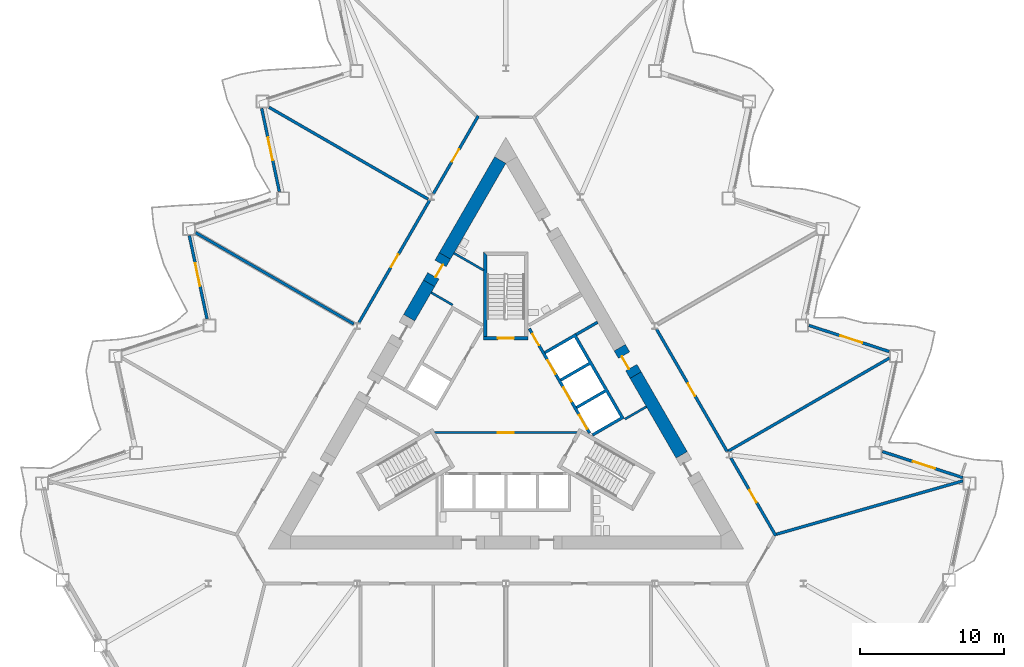
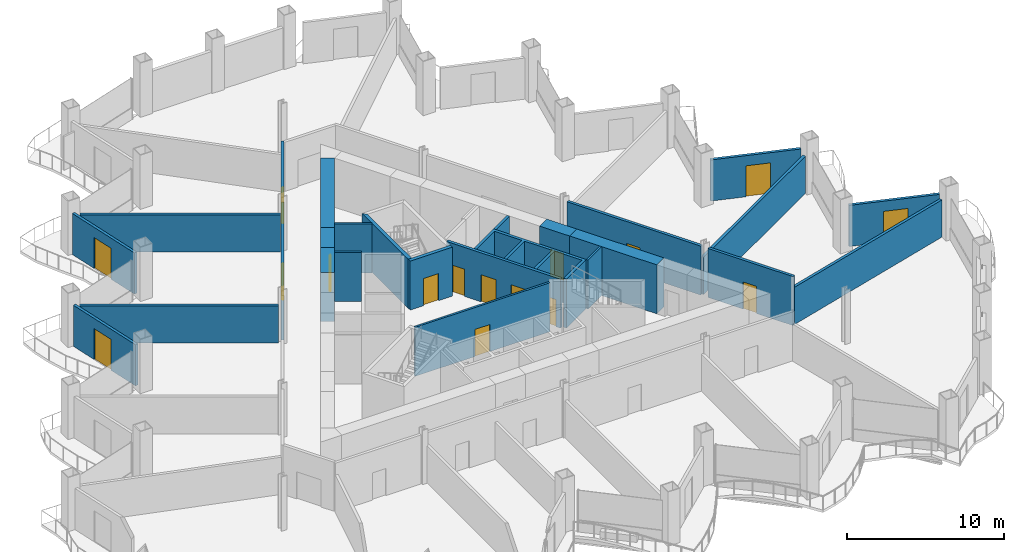
# One storey, part 12 of 21: 26 walls, 16 doors, 16 openings.
"""IFC4 building model written with IfcOpenShell, lengths in metres."""

from ifc_helpers import new_model, si_unit, direction, frame, frame_2d, origin, place, context, subcontext, project, spatial, polyline, rectangle, outline, extrude, material, layer, layer_set, type_object, element, fill, save


model = new_model("IFC4")

# Units and contexts
model_context = context("Model", 3, precision=1e-05, world=origin(), true_north=direction((0.0, 1.0)))
body_context = subcontext(model_context, "Body", "Model", "MODEL_VIEW")
ifc_project = project(units=[si_unit("LENGTHUNIT", "METRE"), si_unit("AREAUNIT", "SQUARE_METRE"), si_unit("VOLUMEUNIT", "CUBIC_METRE"), si_unit("PLANEANGLEUNIT", "RADIAN"), si_unit("MASSUNIT", "GRAM", prefix="KILO")], contexts=[model_context])

# Site, building, storey
site_placement = place(None, origin())
site = spatial("IfcSite", under=ifc_project, at=site_placement, CompositionType="ELEMENT")
building_placement = place(site_placement, origin())
building = spatial("IfcBuilding", under=site, at=building_placement, Name="Cormorant Prow Tower", CompositionType="ELEMENT")
storey_placement = place(building_placement, frame((0.0, 0.0, 133.199951171875)))
storey = spatial("IfcBuildingStorey", under=building, at=storey_placement, Name="L28", CompositionType="ELEMENT", Elevation=133.199951171875)

# Wall, opening, door
ifc_material_1 = material(Name="Gypsum board partition")
ifc_layer_1 = layer(ifc_material_1, 0.14990234375)
ifc_layer_set_1 = layer_set([ifc_layer_1], Name="Gypsum board partition")
wall_type_1 = type_object("IfcWallType", Name="Core partition 150", PredefinedType="PARTITIONING", material=ifc_layer_set_1)
wall_1_placement = place(storey_placement, frame((-4.941162109375, -1.449951171875, 0.0), z_axis=(0.0, 0.0, 1.0), x_axis=(1.0, 0.0, 0.0)))
wall_1 = element("IfcWall", 1, at=wall_1_placement, inside=storey, type_object=wall_type_1, Name="Firefighting lobby partition", PredefinedType="PARTITIONING", context=body_context, shape_type="SweptSolid", body=[
    extrude(rectangle(XDim=9.88232421875, YDim=0.14990234375, at=frame_2d((4.941162109375, 0.0))), origin(), (0.0, 0.0, 1.0), 3.800048828125),
])
opening_1_placement = place(wall_1_placement, frame((4.39111328125, 0.0, 0.0)))
opening_1 = element("IfcOpeningElement", 2, at=opening_1_placement, cuts=wall_1, Name="Opening L28-C10", PredefinedType="OPENING", context=body_context, shape_type="SweptSolid", body=[
    extrude(rectangle(XDim=1.10009765625, YDim=2.10009765625, at=frame_2d((0.550048828125, 1.050048828125))), frame((0.0, 0.0849609375, 0.0), z_axis=(0.0, -1.0, 0.0), x_axis=(1.0, 0.0, 0.0)), (0.0, 0.0, 1.0), 0.169921875),
])
ifc_material_2 = material(Name="Painted steel", Category="steel")
door_type_1 = type_object("IfcDoorType", Name="Firefighting lobby door 1100x2100", OperationType="NOTDEFINED", PredefinedType="DOOR", material=ifc_material_2)
door_1_placement = place(opening_1_placement, origin())
door_1 = element("IfcDoor", 3, at=door_1_placement, inside=storey, type_object=door_type_1, Name="Firefighting lobby door", OperationType="SINGLE_SWING_RIGHT", OverallHeight=2.10009765625, OverallWidth=1.10009765625, PredefinedType="DOOR", context=body_context, shape_type="SweptSolid", body=[
    extrude(rectangle(XDim=1.10009765625, YDim=2.10009765625, at=frame_2d((0.550048828125, 1.050048828125))), frame((0.0, 0.02490234375, 0.0), z_axis=(0.0, -1.0, 0.0), x_axis=(1.0, 0.0, 0.0)), (0.0, 0.0, 1.0), 0.050048828125),
])
fill(opening_1, door_1)

# Walls
for number, where, z_axis, x_axis, name in (
    (4, (8.268310546875, -0.509033203125, 0.0), (0.0, 0.0, 1.0), (0.866024871741, 0.500000921525, 0.0), "Service room partition"),
    (5, (-3.693359375, 7.4150390625, 0.0), (0.0, 0.0, 1.0), (-0.866024871741, 0.500000921525, 0.0), "Service room partition"),
):
    element("IfcWall", number, at=place(storey_placement, frame(where, z_axis=z_axis, x_axis=x_axis)), inside=storey, type_object=wall_type_1, Name=name, PredefinedType="PARTITIONING", context=body_context, shape_type="SweptSolid", body=[
        extrude(rectangle(XDim=1.72021484375, YDim=0.14990234375, at=frame_2d((0.860107421875, 0.0))), origin(), (0.0, 0.0, 1.0), 3.800048828125),
    ])
wall_2_placement = place(storey_placement, frame((-3.601806640625, 11.013916015625, 0.0), z_axis=(0.0, 0.0, 1.0), x_axis=(0.866011787705, -0.500023583, 0.0)))
element("IfcWall", 6, at=wall_2_placement, inside=storey, type_object=wall_type_1, Name="Service room partition", PredefinedType="PARTITIONING", context=body_context, shape_type="SweptSolid", body=[
    extrude(rectangle(XDim=2.38623046875, YDim=0.14990234375, at=frame_2d((1.193115234375, 0.0))), origin(), (0.0, 0.0, 1.0), 3.800048828125),
])
ifc_material_3 = material(Name="Concrete 8000 psi", Category="concrete")
ifc_layer_2 = layer(ifc_material_3, 0.89990234375)
ifc_layer_set_2 = layer_set([ifc_layer_2], Name="Concrete 8000 psi")
wall_type_2 = type_object("IfcWallType", Name="Core shear wall 900", PredefinedType="SHEAR", material=ifc_layer_set_2)
wall_3_placement = place(storey_placement, frame((12.2080078125, -2.992431640625, 0.0), z_axis=(0.0, 0.0, 1.0), x_axis=(-0.499990106751, 0.866031115579, 0.0)))
element("IfcWall", 7, at=wall_3_placement, inside=storey, type_object=wall_type_2, Name="Core wall", PredefinedType="SHEAR", context=body_context, shape_type="SweptSolid", body=[
    extrude(rectangle(XDim=6.395751953125, YDim=0.89990234375, at=frame_2d((3.19775390625, 0.0))), origin(), (0.0, 0.0, 1.0), 3.800048828125),
])
wall_4_placement = place(storey_placement, frame((-0.3896484375, 17.4775390625, 0.0), z_axis=(0.0, 0.0, 1.0), x_axis=(-0.500010285023, -0.866019465642, 0.0)))
element("IfcWall", 8, at=wall_4_placement, inside=storey, type_object=wall_type_2, Name="Core wall", PredefinedType="SHEAR", context=body_context, shape_type="SweptSolid", body=[
    extrude(rectangle(XDim=7.684814453125, YDim=0.89990234375, at=frame_2d((3.84228515625, 0.0))), origin(), (0.0, 0.0, 1.0), 3.800048828125),
])
wall_5_placement = place(storey_placement, frame((-5.332275390625, 8.9169921875, 0.0), z_axis=(0.0, 0.0, 1.0), x_axis=(-0.499949934511, -0.866054307178, 0.0)))
element("IfcWall", 9, at=wall_5_placement, inside=storey, type_object=wall_type_2, Name="Core wall", PredefinedType="SHEAR", context=body_context, shape_type="SweptSolid", body=[
    extrude(rectangle(XDim=2.756103515625, YDim=0.89990234375, at=frame_2d((1.3779296875, 0.0))), origin(), (0.0, 0.0, 1.0), 3.800048828125),
])

# Wall, opening, door
wall_6_placement = place(storey_placement, frame((9.01025390625, 2.54638671875, 0.0), z_axis=(0.0, 0.0, 1.0), x_axis=(-0.499994660107, 0.866028486751, 0.0)))
wall_6 = element("IfcWall", 10, at=wall_6_placement, inside=storey, type_object=wall_type_2, Name="Core wall door panel", PredefinedType="SHEAR", context=body_context, shape_type="SweptSolid", body=[
    extrude(rectangle(XDim=2.19970703125, YDim=0.89990234375, at=frame_2d((1.099853515625, 0.0))), origin(), (0.0, 0.0, 1.0), 3.800048828125),
])
opening_2_placement = place(wall_6_placement, frame((0.60009765625, 0.0, 0.0)))
opening_2 = element("IfcOpeningElement", 11, at=opening_2_placement, cuts=wall_6, Name="Opening L28-C18", PredefinedType="OPENING", context=body_context, shape_type="SweptSolid", body=[
    extrude(rectangle(XDim=1.0, YDim=2.10009765625, at=frame_2d((0.5, 1.050048828125))), frame((0.0, 0.4599609375, 0.0), z_axis=(0.0, -1.0, 0.0), x_axis=(1.0, 0.0, 0.0)), (0.0, 0.0, 1.0), 0.919921875),
])
ifc_material_4 = material(Name="Painted steel", Category="steel")
door_type_2 = type_object("IfcDoorType", Name="Service door 1000x2100", OperationType="NOTDEFINED", PredefinedType="DOOR", material=ifc_material_4)
door_2_placement = place(opening_2_placement, origin())
door_2 = element("IfcDoor", 12, at=door_2_placement, inside=storey, type_object=door_type_2, Name="Core door, Housekeeping store", OperationType="SINGLE_SWING_RIGHT", OverallHeight=2.10009765625, OverallWidth=1.0, PredefinedType="DOOR", context=body_context, shape_type="SweptSolid", body=[
    extrude(rectangle(XDim=1.0, YDim=2.10009765625, at=frame_2d((0.5, 1.050048828125))), frame((0.0, 0.205078125, 0.0), z_axis=(0.0, -1.0, 0.0), x_axis=(1.0, 0.0, 0.0)), (0.0, 0.0, 1.0), 0.050048828125),
])
fill(opening_2, door_2)

wall_7_placement = place(storey_placement, frame((-4.232177734375, 10.822265625, 0.0), z_axis=(0.0, 0.0, 1.0), x_axis=(-0.50002983664, -0.866008176907, 0.0)))
wall_7 = element("IfcWall", 13, at=wall_7_placement, inside=storey, type_object=wall_type_2, Name="Core wall door panel", PredefinedType="SHEAR", context=body_context, shape_type="SweptSolid", body=[
    extrude(rectangle(XDim=2.199951171875, YDim=0.89990234375, at=frame_2d((1.10009765625, 0.0))), origin(), (0.0, 0.0, 1.0), 3.800048828125),
])
opening_3_placement = place(wall_7_placement, frame((0.60009765625, 0.0, 0.0)))
opening_3 = element("IfcOpeningElement", 14, at=opening_3_placement, cuts=wall_7, Name="Opening L28-C20", PredefinedType="OPENING", context=body_context, shape_type="SweptSolid", body=[
    extrude(rectangle(XDim=1.0, YDim=2.10009765625, at=frame_2d((0.5, 1.050048828125))), frame((0.0, 0.4599609375, 0.0), z_axis=(0.0, -1.0, 0.0), x_axis=(1.0, 0.0, 0.0)), (0.0, 0.0, 1.0), 0.919921875),
])
door_3_placement = place(opening_3_placement, origin())
door_3 = element("IfcDoor", 15, at=door_3_placement, inside=storey, type_object=door_type_2, Name="Core door, Linen store", OperationType="SINGLE_SWING_LEFT", OverallHeight=2.10009765625, OverallWidth=1.0, PredefinedType="DOOR", context=body_context, shape_type="SweptSolid", body=[
    extrude(rectangle(XDim=1.0, YDim=2.10009765625, at=frame_2d((0.5, 1.050048828125))), frame((0.0, 0.205078125, 0.0), z_axis=(0.0, -1.0, 0.0), x_axis=(1.0, 0.0, 0.0)), (0.0, 0.0, 1.0), 0.050048828125),
])
fill(opening_3, door_3)

ifc_material_5 = material(Name="Gypsum board corridor wall")
ifc_layer_3 = layer(ifc_material_5, 0.199951171875)
ifc_layer_set_3 = layer_set([ifc_layer_3], Name="Gypsum board corridor wall")
wall_type_3 = type_object("IfcWallType", Name="Corridor wall 200", PredefinedType="PARTITIONING", material=ifc_layer_set_3)
wall_8_placement = place(storey_placement, frame((10.459716796875, 5.735595703125, 0.0), z_axis=(0.0, 0.0, 1.0), x_axis=(0.500004141693, -0.866023012564, 0.0)))
wall_8 = element("IfcWall", 16, at=wall_8_placement, inside=storey, type_object=wall_type_3, Name="Corridor wall", PredefinedType="PARTITIONING", context=body_context, shape_type="SweptSolid", body=[
    extrude(rectangle(XDim=9.80322265625, YDim=0.199951171875, at=frame_2d((4.901611328125, 0.0))), origin(), (0.0, 0.0, 1.0), 3.800048828125),
])
opening_4_placement = place(wall_8_placement, frame((4.3515625, 0.0, 0.0)))
opening_4 = element("IfcOpeningElement", 17, at=opening_4_placement, cuts=wall_8, Name="Opening L28-F08", PredefinedType="OPENING", context=body_context, shape_type="SweptSolid", body=[
    extrude(rectangle(XDim=1.0, YDim=2.10009765625, at=frame_2d((0.5, 1.050048828125))), frame((0.0, 0.10986328125, 0.0), z_axis=(0.0, -1.0, 0.0), x_axis=(1.0, 0.0, 0.0)), (0.0, 0.0, 1.0), 0.219970703125),
])
ifc_material_6 = material(Name="Timber door leaf", Category="wood")
door_type_3 = type_object("IfcDoorType", Name="Office door 1000x2100", OperationType="NOTDEFINED", PredefinedType="DOOR", material=ifc_material_6)
door_4_placement = place(opening_4_placement, origin())
door_4 = element("IfcDoor", 18, at=door_4_placement, inside=storey, type_object=door_type_3, Name="Co-working room door", OperationType="SINGLE_SWING_LEFT", OverallHeight=2.10009765625, OverallWidth=1.0, PredefinedType="DOOR", context=body_context, shape_type="SweptSolid", body=[
    extrude(rectangle(XDim=1.0, YDim=2.10009765625, at=frame_2d((0.5, 1.050048828125))), frame((0.0, 0.02490234375, 0.0), z_axis=(0.0, -1.0, 0.0), x_axis=(1.0, 0.0, 0.0)), (0.0, 0.0, 1.0), 0.050048828125),
])
fill(opening_4, door_4)

wall_9_placement = place(storey_placement, frame((-10.197265625, 6.1904296875, 0.0), z_axis=(0.0, 0.0, 1.0), x_axis=(0.500012035596, 0.866018454918, 0.0)))
wall_9 = element("IfcWall", 19, at=wall_9_placement, inside=storey, type_object=wall_type_3, Name="Corridor wall", PredefinedType="PARTITIONING", context=body_context, shape_type="SweptSolid", body=[
    extrude(rectangle(XDim=9.803466796875, YDim=0.199951171875, at=frame_2d((4.90185546875, 0.0))), origin(), (0.0, 0.0, 1.0), 3.800048828125),
])
opening_5_placement = place(wall_9_placement, frame((4.45166015625, 0.0, 0.0)))
opening_5 = element("IfcOpeningElement", 20, at=opening_5_placement, cuts=wall_9, Name="Opening L28-F12", PredefinedType="OPENING", context=body_context, shape_type="SweptSolid", body=[
    extrude(rectangle(XDim=1.0, YDim=2.10009765625, at=frame_2d((0.5, 1.050048828125))), frame((0.0, 0.10986328125, 0.0), z_axis=(0.0, -1.0, 0.0), x_axis=(1.0, 0.0, 0.0)), (0.0, 0.0, 1.0), 0.219970703125),
])
door_5_placement = place(opening_5_placement, origin())
door_5 = element("IfcDoor", 21, at=door_5_placement, inside=storey, type_object=door_type_3, Name="Tenant suite door", OperationType="SINGLE_SWING_LEFT", OverallHeight=2.10009765625, OverallWidth=1.0, PredefinedType="DOOR", context=body_context, shape_type="SweptSolid", body=[
    extrude(rectangle(XDim=1.0, YDim=2.10009765625, at=frame_2d((0.5, 1.050048828125))), frame((0.0, 0.02490234375, 0.0), z_axis=(0.0, -1.0, 0.0), x_axis=(1.0, 0.0, 0.0)), (0.0, 0.0, 1.0), 0.050048828125),
])
fill(opening_5, door_5)

wall_10_placement = place(storey_placement, frame((-5.032958984375, 15.13525390625, 0.0), z_axis=(0.0, 0.0, 1.0), x_axis=(0.499980978912, 0.866036385336, 0.0)))
wall_10 = element("IfcWall", 22, at=wall_10_placement, inside=storey, type_object=wall_type_3, Name="Corridor wall", PredefinedType="PARTITIONING", context=body_context, shape_type="SweptSolid", body=[
    extrude(rectangle(XDim=6.239990234375, YDim=0.199951171875, at=frame_2d((3.1201171875, 0.0))), origin(), (0.0, 0.0, 1.0), 3.800048828125),
])
opening_6_placement = place(wall_10_placement, frame((2.569580078125, 0.0, 0.0)))
opening_6 = element("IfcOpeningElement", 23, at=opening_6_placement, cuts=wall_10, Name="Opening L28-F11", PredefinedType="OPENING", context=body_context, shape_type="SweptSolid", body=[
    extrude(rectangle(XDim=1.0, YDim=2.10009765625, at=frame_2d((0.5, 1.050048828125))), frame((0.0, 0.10986328125, 0.0), z_axis=(0.0, -1.0, 0.0), x_axis=(1.0, 0.0, 0.0)), (0.0, 0.0, 1.0), 0.219970703125),
])
door_6_placement = place(opening_6_placement, origin())
door_6 = element("IfcDoor", 24, at=door_6_placement, inside=storey, type_object=door_type_3, Name="Open-plan office door", OperationType="SINGLE_SWING_LEFT", OverallHeight=2.10009765625, OverallWidth=1.0, PredefinedType="DOOR", context=body_context, shape_type="SweptSolid", body=[
    extrude(rectangle(XDim=1.0, YDim=2.10009765625, at=frame_2d((0.5, 1.050048828125))), frame((0.0, 0.02490234375, 0.0), z_axis=(0.0, -1.0, 0.0), x_axis=(1.0, 0.0, 0.0)), (0.0, 0.0, 1.0), 0.050048828125),
])
fill(opening_6, door_6)

wall_11_placement = place(storey_placement, frame((15.6240234375, -3.208984375, 0.0), z_axis=(0.0, 0.0, 1.0), x_axis=(0.499997920671, -0.866026604282, 0.0)))
wall_11 = element("IfcWall", 25, at=wall_11_placement, inside=storey, type_object=wall_type_3, Name="Corridor wall", PredefinedType="PARTITIONING", context=body_context, shape_type="SweptSolid", body=[
    extrude(rectangle(XDim=6.23974609375, YDim=0.199951171875, at=frame_2d((3.119873046875, 0.0))), origin(), (0.0, 0.0, 1.0), 3.800048828125),
])
opening_7_placement = place(wall_11_placement, frame((2.569580078125, 0.0, 0.0)))
opening_7 = element("IfcOpeningElement", 26, at=opening_7_placement, cuts=wall_11, Name="Opening L28-F07", PredefinedType="OPENING", context=body_context, shape_type="SweptSolid", body=[
    extrude(rectangle(XDim=1.0, YDim=2.10009765625, at=frame_2d((0.5, 1.050048828125))), frame((0.0, 0.10986328125, 0.0), z_axis=(0.0, -1.0, 0.0), x_axis=(1.0, 0.0, 0.0)), (0.0, 0.0, 1.0), 0.219970703125),
])
door_7_placement = place(opening_7_placement, origin())
door_7 = element("IfcDoor", 27, at=door_7_placement, inside=storey, type_object=door_type_3, Name="Tenant suite door", OperationType="SINGLE_SWING_RIGHT", OverallHeight=2.10009765625, OverallWidth=1.0, PredefinedType="DOOR", context=body_context, shape_type="SweptSolid", body=[
    extrude(rectangle(XDim=1.0, YDim=2.10009765625, at=frame_2d((0.5, 1.050048828125))), frame((0.0, 0.02490234375, 0.0), z_axis=(0.0, -1.0, 0.0), x_axis=(1.0, 0.0, 0.0)), (0.0, 0.0, 1.0), 0.050048828125),
])
fill(opening_7, door_7)

# Walls
ifc_material_7 = material(Name="Gypsum board demising wall")
ifc_layer_4 = layer(ifc_material_7, 0.199951171875)
ifc_layer_set_4 = layer_set([ifc_layer_4], Name="Gypsum board demising wall")
wall_type_4 = type_object("IfcWallType", Name="Demising wall 200", PredefinedType="PARTITIONING", material=ifc_layer_set_4)
wall_12_placement = place(storey_placement, frame((18.7900390625, -8.498779296875, 0.0), z_axis=(0.0, 0.0, 1.0), x_axis=(0.961478776026, 0.274879179372, 0.0)))
element("IfcWall", 28, at=wall_12_placement, inside=storey, type_object=wall_type_4, Name="Demising wall", PredefinedType="PARTITIONING", context=body_context, shape_type="SweptSolid", body=[
    extrude(rectangle(XDim=13.46484375, YDim=0.199951171875, at=frame_2d((6.732421875, 0.0))), origin(), (0.0, 0.0, 1.0), 2.88525390625),
])
wall_13_placement = place(storey_placement, frame((15.4033203125, -2.754150390625, 0.0), z_axis=(0.0, 0.0, 1.0), x_axis=(0.866024473704, 0.500001610943, 0.0)))
element("IfcWall", 29, at=wall_13_placement, inside=storey, type_object=wall_type_4, Name="Demising wall", PredefinedType="PARTITIONING", context=body_context, shape_type="SweptSolid", body=[
    extrude(rectangle(XDim=12.970703125, YDim=0.199951171875, at=frame_2d((6.4853515625, 0.0))), origin(), (0.0, 0.0, 1.0), 2.88525390625),
])
wall_14_placement = place(storey_placement, frame((-16.436279296875, 21.13671875, 0.0), z_axis=(0.0, 0.0, 1.0), x_axis=(0.866023321739, -0.500003606191, 0.0)))
element("IfcWall", 30, at=wall_14_placement, inside=storey, type_object=wall_type_4, Name="Demising wall", PredefinedType="PARTITIONING", context=body_context, shape_type="SweptSolid", body=[
    extrude(rectangle(XDim=12.75341796875, YDim=0.199951171875, at=frame_2d((6.376708984375, 0.0))), origin(), (0.0, 0.0, 1.0), 2.88525390625),
])
wall_15_placement = place(storey_placement, frame((-21.536376953125, 12.43408203125, 0.0), z_axis=(0.0, 0.0, 1.0), x_axis=(0.86602461759, -0.500001361726, 0.0)))
element("IfcWall", 31, at=wall_15_placement, inside=storey, type_object=wall_type_4, Name="Demising wall", PredefinedType="PARTITIONING", context=body_context, shape_type="SweptSolid", body=[
    extrude(rectangle(XDim=12.67919921875, YDim=0.199951171875, at=frame_2d((6.339599609375, 0.0))), origin(), (0.0, 0.0, 1.0), 2.88525390625),
])

# Wall, openings, doors
ifc_material_8 = material(Name="Concrete 5000 psi", Category="concrete")
ifc_layer_5 = layer(ifc_material_8, 0.199951171875)
ifc_layer_set_5 = layer_set([ifc_layer_5], Name="Concrete 5000 psi")
wall_type_5 = type_object("IfcWallType", Name="Lift lobby wall 200", PredefinedType="SOLIDWALL", material=ifc_layer_set_5)
wall_16_placement = place(storey_placement, frame((5.817138671875, -1.4755859375, 0.0), z_axis=(0.0, 0.0, 1.0), x_axis=(-0.500002616675, 0.866023893041, 0.0)))
wall_16 = element("IfcWall", 32, at=wall_16_placement, inside=storey, type_object=wall_type_5, Name="Lift lobby wall, ENE block", PredefinedType="SOLIDWALL", context=body_context, shape_type="SweptSolid", body=[
    extrude(rectangle(XDim=8.373046875, YDim=0.199951171875, at=frame_2d((4.1865234375, 0.0))), origin(), (0.0, 0.0, 1.0), 3.800048828125),
])
opening_8_placement = place(wall_16_placement, frame((0.336669921875, 0.0, 0.0)))
opening_8 = element("IfcOpeningElement", 33, at=opening_8_placement, cuts=wall_16, Name="Opening L28-C05", PredefinedType="OPENING", context=body_context, shape_type="SweptSolid", body=[
    extrude(rectangle(XDim=1.10009765625, YDim=2.10009765625, at=frame_2d((0.550048828125, 1.050048828125))), frame((0.0, 0.10986328125, 0.0), z_axis=(0.0, -1.0, 0.0), x_axis=(1.0, 0.0, 0.0)), (0.0, 0.0, 1.0), 0.219970703125),
])
opening_9_placement = place(wall_16_placement, frame((2.53662109375, 0.0, 0.0)))
opening_9 = element("IfcOpeningElement", 34, at=opening_9_placement, cuts=wall_16, Name="Opening L28-C06", PredefinedType="OPENING", context=body_context, shape_type="SweptSolid", body=[
    extrude(rectangle(XDim=1.10009765625, YDim=2.10009765625, at=frame_2d((0.550048828125, 1.050048828125))), frame((0.0, 0.10986328125, 0.0), z_axis=(0.0, -1.0, 0.0), x_axis=(1.0, 0.0, 0.0)), (0.0, 0.0, 1.0), 0.219970703125),
])
opening_10_placement = place(wall_16_placement, frame((4.736572265625, 0.0, 0.0)))
opening_10 = element("IfcOpeningElement", 35, at=opening_10_placement, cuts=wall_16, Name="Opening L28-C07", PredefinedType="OPENING", context=body_context, shape_type="SweptSolid", body=[
    extrude(rectangle(XDim=1.10009765625, YDim=2.10009765625, at=frame_2d((0.550048828125, 1.050048828125))), frame((0.0, 0.10986328125, 0.0), z_axis=(0.0, -1.0, 0.0), x_axis=(1.0, 0.0, 0.0)), (0.0, 0.0, 1.0), 0.219970703125),
])
opening_11_placement = place(wall_16_placement, frame((7.03662109375, 0.0, 0.0)))
opening_11 = element("IfcOpeningElement", 36, at=opening_11_placement, cuts=wall_16, Name="Opening L28-C08", PredefinedType="OPENING", context=body_context, shape_type="SweptSolid", body=[
    extrude(rectangle(XDim=0.89990234375, YDim=2.10009765625, at=frame_2d((0.449951171875, 1.050048828125))), frame((0.0, 0.10986328125, 0.0), z_axis=(0.0, -1.0, 0.0), x_axis=(1.0, 0.0, 0.0)), (0.0, 0.0, 1.0), 0.219970703125),
])
ifc_material_9 = material(Name="Painted steel", Category="steel")
door_type_4 = type_object("IfcDoorType", Name="Lift landing door 1100x2100", OperationType="SLIDING_TO_LEFT", PredefinedType="DOOR", material=ifc_material_9)
door_8_placement = place(opening_8_placement, origin())
door_8 = element("IfcDoor", 37, at=door_8_placement, inside=storey, type_object=door_type_4, Name="Landing door LR2", OperationType="SLIDING_TO_LEFT", OverallHeight=2.10009765625, OverallWidth=1.10009765625, PredefinedType="DOOR", context=body_context, shape_type="SweptSolid", body=[
    extrude(rectangle(XDim=1.10009765625, YDim=2.10009765625, at=frame_2d((0.550048828125, 1.050048828125))), frame((0.0, 0.02490234375, 0.0), z_axis=(0.0, -1.0, 0.0), x_axis=(1.0, 0.0, 0.0)), (0.0, 0.0, 1.0), 0.050048828125),
])
fill(opening_8, door_8)
door_9_placement = place(opening_9_placement, origin())
door_9 = element("IfcDoor", 38, at=door_9_placement, inside=storey, type_object=door_type_4, Name="Landing door LR3", OperationType="SLIDING_TO_LEFT", OverallHeight=2.10009765625, OverallWidth=1.10009765625, PredefinedType="DOOR", context=body_context, shape_type="SweptSolid", body=[
    extrude(rectangle(XDim=1.10009765625, YDim=2.10009765625, at=frame_2d((0.550048828125, 1.050048828125))), frame((0.0, 0.02490234375, 0.0), z_axis=(0.0, -1.0, 0.0), x_axis=(1.0, 0.0, 0.0)), (0.0, 0.0, 1.0), 0.050048828125),
])
fill(opening_9, door_9)
door_10_placement = place(opening_10_placement, origin())
door_10 = element("IfcDoor", 39, at=door_10_placement, inside=storey, type_object=door_type_4, Name="Landing door LR4", OperationType="SLIDING_TO_LEFT", OverallHeight=2.10009765625, OverallWidth=1.10009765625, PredefinedType="DOOR", context=body_context, shape_type="SweptSolid", body=[
    extrude(rectangle(XDim=1.10009765625, YDim=2.10009765625, at=frame_2d((0.550048828125, 1.050048828125))), frame((0.0, 0.02490234375, 0.0), z_axis=(0.0, -1.0, 0.0), x_axis=(1.0, 0.0, 0.0)), (0.0, 0.0, 1.0), 0.050048828125),
])
fill(opening_10, door_10)
ifc_material_10 = material(Name="Painted steel", Category="steel")
door_type_5 = type_object("IfcDoorType", Name="Service door 900x2100", OperationType="NOTDEFINED", PredefinedType="DOOR", material=ifc_material_10)
door_11_placement = place(opening_11_placement, origin())
door_11 = element("IfcDoor", 40, at=door_11_placement, inside=storey, type_object=door_type_5, Name="Service door, Pantry store", OperationType="SINGLE_SWING_RIGHT", OverallHeight=2.10009765625, OverallWidth=0.89990234375, PredefinedType="DOOR", context=body_context, shape_type="SweptSolid", body=[
    extrude(rectangle(XDim=0.89990234375, YDim=2.10009765625, at=frame_2d((0.449951171875, 1.050048828125))), frame((0.0, 0.02490234375, 0.0), z_axis=(0.0, -1.0, 0.0), x_axis=(1.0, 0.0, 0.0)), (0.0, 0.0, 1.0), 0.050048828125),
])
fill(opening_11, door_11)

# Walls
ifc_material_11 = material(Name="Concrete 8000 psi", Category="concrete")
ifc_layer_6 = layer(ifc_material_11, 0.199951171875)
ifc_layer_set_6 = layer_set([ifc_layer_6], Name="Concrete 8000 psi")
wall_type_6 = type_object("IfcWallType", Name="Lift shaft wall 200", PredefinedType="SHEAR", material=ifc_layer_set_6)
wall_17_placement = place(storey_placement, origin())
element("IfcWall", 41, at=wall_17_placement, inside=storey, type_object=wall_type_6, Name="Lift shaft walls, ENE block", PredefinedType="SHEAR", context=body_context, shape_type="SweptSolid", body=[
    extrude(outline(polyline([(2.660400390625, 4.19189453125), (4.830810546875, 5.44482421875), (8.230712890625, -0.444091796875), (6.060546875, -1.697021484375), (5.96044921875, -1.52392578125), (7.952392578125, -0.373779296875), (6.952392578125, 1.358154296875), (4.96044921875, 0.2080078125), (4.860595703125, 0.38134765625), (6.852294921875, 1.53125), (5.852294921875, 3.263427734375), (3.860595703125, 2.11328125), (3.760498046875, 2.28662109375), (5.75244140625, 3.4365234375), (4.75244140625, 5.168701171875), (2.760498046875, 4.018798828125), (2.660400390625, 4.19189453125)])), origin(), (0.0, 0.0, 1.0), 3.800048828125),
])
wall_18_placement = place(storey_placement, frame((4.880859375, 5.3583984375, 0.0), z_axis=(0.0, 0.0, 1.0), x_axis=(0.866024871741, 0.500000921525, 0.0)))
element("IfcWall", 42, at=wall_18_placement, inside=storey, type_object=wall_type_6, Name="Store side wall", PredefinedType="SHEAR", context=body_context, shape_type="SweptSolid", body=[
    extrude(rectangle(XDim=1.72021484375, YDim=0.199951171875, at=frame_2d((0.860107421875, 0.0))), origin(), (0.0, 0.0, 1.0), 3.800048828125),
])
ifc_material_12 = material(Name="Concrete 8000 psi", Category="concrete")
ifc_layer_7 = layer(ifc_material_12, 0.25)
ifc_layer_set_7 = layer_set([ifc_layer_7], Name="Concrete 8000 psi")
wall_type_7 = type_object("IfcWallType", Name="Stair wall 250", PredefinedType="SHEAR", material=ifc_layer_set_7)
wall_19_placement = place(storey_placement, origin())
element("IfcWall", 43, at=wall_19_placement, inside=storey, type_object=wall_type_7, Name="Stair ST3 enclosure wall (flank)", PredefinedType="SHEAR", context=body_context, shape_type="SweptSolid", body=[
    extrude(outline(polyline([(-1.2939453125, 10.8369140625), (-1.5439453125, 11.0869140625), (-1.5439453125, 5.23681640625), (-1.2939453125, 5.23681640625), (-1.2939453125, 10.8369140625)])), origin(), (0.0, 0.0, 1.0), 3.800048828125),
])

# Wall, opening, door
wall_20_placement = place(storey_placement, frame((1.5439453125, 5.11181640625, 0.0), z_axis=(0.0, 0.0, 1.0), x_axis=(-1.0, 0.0, 0.0)))
wall_20 = element("IfcWall", 44, at=wall_20_placement, inside=storey, type_object=wall_type_7, Name="Stair ST3 door wall", PredefinedType="SHEAR", context=body_context, shape_type="SweptSolid", body=[
    extrude(rectangle(XDim=3.087890625, YDim=0.25, at=frame_2d((1.5439453125, 0.0))), origin(), (0.0, 0.0, 1.0), 3.800048828125),
])
opening_12_placement = place(wall_20_placement, frame((0.993896484375, 0.0, 0.0)))
opening_12 = element("IfcOpeningElement", 45, at=opening_12_placement, cuts=wall_20, Name="Opening L28-C13", PredefinedType="OPENING", context=body_context, shape_type="SweptSolid", body=[
    extrude(rectangle(XDim=1.10009765625, YDim=2.10009765625, at=frame_2d((0.550048828125, 1.050048828125))), frame((0.0, 0.135009765625, 0.0), z_axis=(0.0, -1.0, 0.0), x_axis=(1.0, 0.0, 0.0)), (0.0, 0.0, 1.0), 0.27001953125),
])
ifc_material_13 = material(Name="Painted steel", Category="steel")
door_type_6 = type_object("IfcDoorType", Name="Stair door 1100x2100", OperationType="NOTDEFINED", PredefinedType="DOOR", material=ifc_material_13)
door_12_placement = place(opening_12_placement, origin())
door_12 = element("IfcDoor", 46, at=door_12_placement, inside=storey, type_object=door_type_6, Name="Stair ST3 door", OperationType="SINGLE_SWING_RIGHT", OverallHeight=2.10009765625, OverallWidth=1.10009765625, PredefinedType="DOOR", context=body_context, shape_type="SweptSolid", body=[
    extrude(rectangle(XDim=1.10009765625, YDim=2.10009765625, at=frame_2d((0.550048828125, 1.050048828125))), frame((0.0, 0.02490234375, 0.0), z_axis=(0.0, -1.0, 0.0), x_axis=(1.0, 0.0, 0.0)), (0.0, 0.0, 1.0), 0.050048828125),
])
fill(opening_12, door_12)

ifc_material_14 = material(Name="Terracotta", Category="masonry")
ifc_layer_8 = layer(ifc_material_14, 0.199951171875)
ifc_layer_set_8 = layer_set([ifc_layer_8], Name="Terracotta")
wall_type_8 = type_object("IfcWallType", Name="Terracotta jamb wall 200", PredefinedType="SOLIDWALL", material=ifc_layer_set_8)
wall_21_placement = place(storey_placement, frame((31.73388671875, -4.576904296875, 0.0), z_axis=(0.0, 0.0, 1.0), x_axis=(-0.951060927669, 0.309003417231, 0.0)))
wall_21 = element("IfcWall", 47, at=wall_21_placement, inside=storey, type_object=wall_type_8, Name="Terracotta jamb wall ENE01", PredefinedType="SOLIDWALL", context=body_context, shape_type="SweptSolid", body=[
    extrude(rectangle(XDim=5.87744140625, YDim=0.199951171875, at=frame_2d((2.938720703125, 0.0))), origin(), (0.0, 0.0, 1.0), 3.18896484375),
])
opening_13_placement = place(wall_21_placement, frame((2.0419921875, 0.0, 0.0)))
opening_13 = element("IfcOpeningElement", 48, at=opening_13_placement, cuts=wall_21, Name="Opening ED28.06", PredefinedType="OPENING", context=body_context, shape_type="SweptSolid", body=[
    extrude(rectangle(XDim=1.60009765625, YDim=2.39990234375, at=frame_2d((0.800048828125, 1.199951171875))), frame((0.0, 0.10986328125, 0.0), z_axis=(0.0, -1.0, 0.0), x_axis=(1.0, 0.0, 0.0)), (0.0, 0.0, 1.0), 0.219970703125),
])
ifc_material_15 = material(Name="Aluminium 6063-T6", Category="aluminium")
door_type_7 = type_object("IfcDoorType", Name="Balcony door 1600x2400", OperationType="DOUBLE_DOOR_SINGLE_SWING", PredefinedType="DOOR", material=ifc_material_15)
door_13_placement = place(opening_13_placement, origin())
door_13 = element("IfcDoor", 49, at=door_13_placement, inside=storey, type_object=door_type_7, Name="Balcony door ENE01 ED28.06", OperationType="DOUBLE_DOOR_SINGLE_SWING", OverallHeight=2.39990234375, OverallWidth=1.60009765625, PredefinedType="DOOR", context=body_context, shape_type="SweptSolid", body=[
    extrude(rectangle(XDim=1.60009765625, YDim=2.39990234375, at=frame_2d((0.800048828125, 1.199951171875))), frame((0.0, 0.02490234375, 0.0), z_axis=(0.0, -1.0, 0.0), x_axis=(1.0, 0.0, 0.0)), (0.0, 0.0, 1.0), 0.050048828125),
])
fill(opening_13, door_13)

wall_22_placement = place(storey_placement, frame((26.62158203125, 4.1806640625, 0.0), z_axis=(0.0, 0.0, 1.0), x_axis=(-0.951053952554, 0.309024884649, 0.0)))
wall_22 = element("IfcWall", 50, at=wall_22_placement, inside=storey, type_object=wall_type_8, Name="Terracotta jamb wall ENE03", PredefinedType="SOLIDWALL", context=body_context, shape_type="SweptSolid", body=[
    extrude(rectangle(XDim=5.864501953125, YDim=0.199951171875, at=frame_2d((2.93212890625, 0.0))), origin(), (0.0, 0.0, 1.0), 3.18896484375),
])
opening_14_placement = place(wall_22_placement, frame((1.969482421875, 0.0, 0.0)))
opening_14 = element("IfcOpeningElement", 51, at=opening_14_placement, cuts=wall_22, Name="Opening ED28.07", PredefinedType="OPENING", context=body_context, shape_type="SweptSolid", body=[
    extrude(rectangle(XDim=1.60009765625, YDim=2.39990234375, at=frame_2d((0.800048828125, 1.199951171875))), frame((0.0, 0.10986328125, 0.0), z_axis=(0.0, -1.0, 0.0), x_axis=(1.0, 0.0, 0.0)), (0.0, 0.0, 1.0), 0.219970703125),
])
door_14_placement = place(opening_14_placement, origin())
door_14 = element("IfcDoor", 52, at=door_14_placement, inside=storey, type_object=door_type_7, Name="Balcony door ENE03 ED28.07", OperationType="DOUBLE_DOOR_SINGLE_SWING", OverallHeight=2.39990234375, OverallWidth=1.60009765625, PredefinedType="DOOR", context=body_context, shape_type="SweptSolid", body=[
    extrude(rectangle(XDim=1.60009765625, YDim=2.39990234375, at=frame_2d((0.800048828125, 1.199951171875))), frame((0.0, 0.02490234375, 0.0), z_axis=(0.0, -1.0, 0.0), x_axis=(1.0, 0.0, 0.0)), (0.0, 0.0, 1.0), 0.050048828125),
])
fill(opening_14, door_14)

wall_23_placement = place(storey_placement, frame((-16.953125, 21.06640625, 0.0), z_axis=(0.0, 0.0, 1.0), x_axis=(0.207917562075, -0.978146352741, 0.0)))
wall_23 = element("IfcWall", 53, at=wall_23_placement, inside=storey, type_object=wall_type_8, Name="Terracotta jamb wall WNW03", PredefinedType="SOLIDWALL", context=body_context, shape_type="SweptSolid", body=[
    extrude(rectangle(XDim=5.90869140625, YDim=0.199951171875, at=frame_2d((2.954345703125, 0.0))), origin(), (0.0, 0.0, 1.0), 3.18896484375),
])
opening_15_placement = place(wall_23_placement, frame((2.073486328125, 0.0, 0.0)))
opening_15 = element("IfcOpeningElement", 54, at=opening_15_placement, cuts=wall_23, Name="Opening ED28.12", PredefinedType="OPENING", context=body_context, shape_type="SweptSolid", body=[
    extrude(rectangle(XDim=1.60009765625, YDim=2.39990234375, at=frame_2d((0.800048828125, 1.199951171875))), frame((0.0, 0.10986328125, 0.0), z_axis=(0.0, -1.0, 0.0), x_axis=(1.0, 0.0, 0.0)), (0.0, 0.0, 1.0), 0.219970703125),
])
door_15_placement = place(opening_15_placement, origin())
door_15 = element("IfcDoor", 55, at=door_15_placement, inside=storey, type_object=door_type_7, Name="Balcony door WNW03 ED28.12", OperationType="DOUBLE_DOOR_SINGLE_SWING", OverallHeight=2.39990234375, OverallWidth=1.60009765625, PredefinedType="DOOR", context=body_context, shape_type="SweptSolid", body=[
    extrude(rectangle(XDim=1.60009765625, YDim=2.39990234375, at=frame_2d((0.800048828125, 1.199951171875))), frame((0.0, 0.02490234375, 0.0), z_axis=(0.0, -1.0, 0.0), x_axis=(1.0, 0.0, 0.0)), (0.0, 0.0, 1.0), 0.050048828125),
])
fill(opening_15, door_15)

wall_24_placement = place(storey_placement, frame((-21.9755859375, 12.23291015625, 0.0), z_axis=(0.0, 0.0, 1.0), x_axis=(0.207925965623, -0.978144566421, 0.0)))
wall_24 = element("IfcWall", 56, at=wall_24_placement, inside=storey, type_object=wall_type_8, Name="Terracotta jamb wall WNW05", PredefinedType="SOLIDWALL", context=body_context, shape_type="SweptSolid", body=[
    extrude(rectangle(XDim=5.908447265625, YDim=0.199951171875, at=frame_2d((2.9541015625, 0.0))), origin(), (0.0, 0.0, 1.0), 3.18896484375),
])
opening_16_placement = place(wall_24_placement, frame((1.973388671875, 0.0, 0.0)))
opening_16 = element("IfcOpeningElement", 57, at=opening_16_placement, cuts=wall_24, Name="Opening ED28.13", PredefinedType="OPENING", context=body_context, shape_type="SweptSolid", body=[
    extrude(rectangle(XDim=1.60009765625, YDim=2.39990234375, at=frame_2d((0.800048828125, 1.199951171875))), frame((0.0, 0.10986328125, 0.0), z_axis=(0.0, -1.0, 0.0), x_axis=(1.0, 0.0, 0.0)), (0.0, 0.0, 1.0), 0.219970703125),
])
door_16_placement = place(opening_16_placement, origin())
door_16 = element("IfcDoor", 58, at=door_16_placement, inside=storey, type_object=door_type_7, Name="Balcony door WNW05 ED28.13", OperationType="DOUBLE_DOOR_SINGLE_SWING", OverallHeight=2.39990234375, OverallWidth=1.60009765625, PredefinedType="DOOR", context=body_context, shape_type="SweptSolid", body=[
    extrude(rectangle(XDim=1.60009765625, YDim=2.39990234375, at=frame_2d((0.800048828125, 1.199951171875))), frame((0.0, 0.02490234375, 0.0), z_axis=(0.0, -1.0, 0.0), x_axis=(1.0, 0.0, 0.0)), (0.0, 0.0, 1.0), 0.050048828125),
])
fill(opening_16, door_16)

save(model, "model.ifc")
